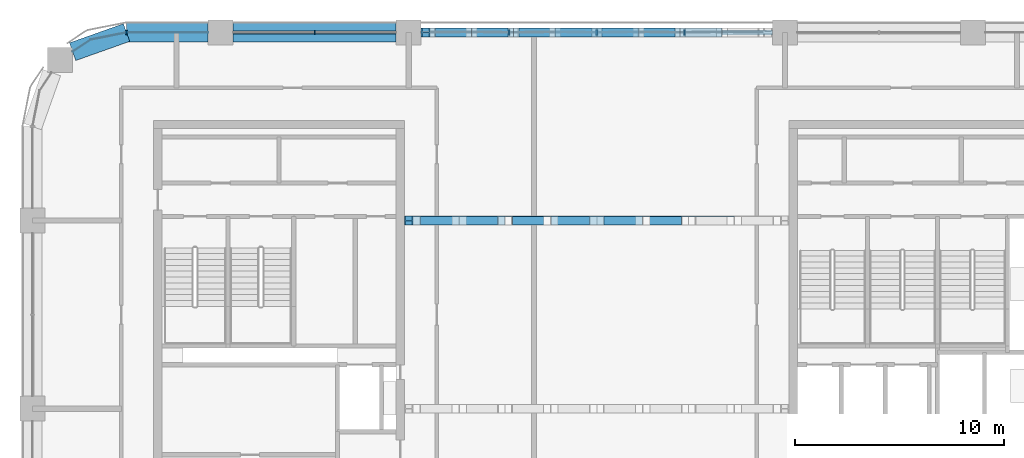
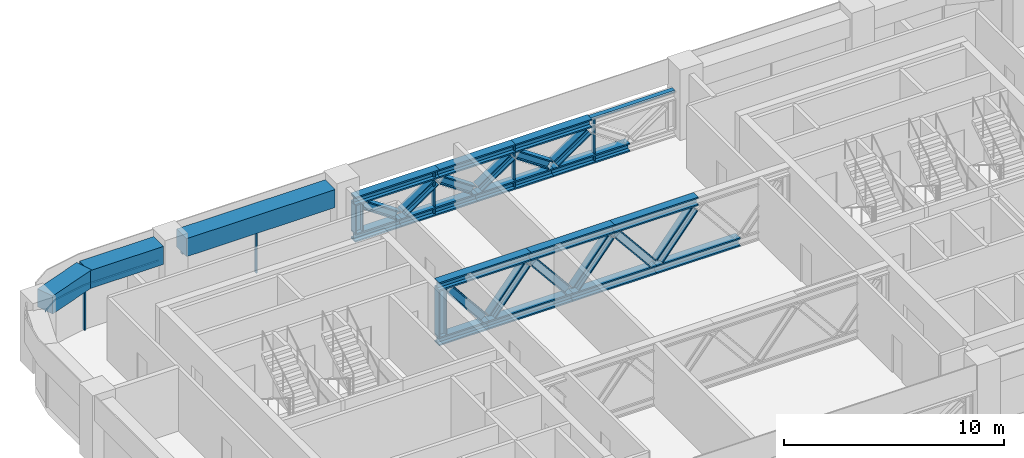
# One storey, part 4 of 14: 36 members, 3 beams, 3 elements without a shape of their own.
"""IFC4 building model written with IfcOpenShell, lengths in metres."""

from ifc_helpers import new_model, si_unit, direction, frame, origin, origin_2d, place, context, subcontext, project, spatial, polyline, rectangle, i_section, outline, extrude, material, material_profile, profile_set, type_object, element, aggregate, save


model = new_model("IFC4")

# Units and contexts
model_context = context("Model", 3, precision=1e-05, world=origin(), true_north=direction((0.0, 1.0)))
body_context = subcontext(model_context, "Body", "Model", "MODEL_VIEW")
ifc_project = project(units=[si_unit("LENGTHUNIT", "METRE"), si_unit("AREAUNIT", "SQUARE_METRE"), si_unit("VOLUMEUNIT", "CUBIC_METRE"), si_unit("PLANEANGLEUNIT", "RADIAN"), si_unit("MASSUNIT", "GRAM", prefix="KILO")], contexts=[model_context])

# Site, building, storey
site_placement = place(None, origin())
site = spatial("IfcSite", under=ifc_project, at=site_placement, CompositionType="ELEMENT")
building_placement = place(site_placement, origin())
building = spatial("IfcBuilding", under=site, at=building_placement, Name="Tessera Arch", CompositionType="ELEMENT")
storey_placement = place(building_placement, frame((0.0, 0.0, 226.699951171875)))
storey = spatial("IfcBuildingStorey", under=building, at=storey_placement, Name="L54", CompositionType="ELEMENT", Elevation=226.699951171875)

# Curtain wall, members
ifc_material_1 = material(Name="CW1 curtain wall")
curtain_wall_type_1 = type_object("IfcCurtainWallType", Name="CW1 curtain wall", PredefinedType="NOTDEFINED", material=ifc_material_1)
curtain_wall_1_placement = place(storey_placement, origin())
curtain_wall_1 = element("IfcCurtainWall", 1, at=curtain_wall_1_placement, inside=storey, type_object=curtain_wall_type_1, Name="CW1 curtain wall N54.0/3 L54", PredefinedType="NOTDEFINED")
ifc_material_2 = material(Name="Anodised aluminium pale metal", Category="aluminium")
ifc_material_profile_1 = material_profile(ifc_material_2, rectangle(XDim=0.159912109375, YDim=0.06005859375, at=origin_2d()), Name="AL 60x160")
ifc_profile_set_1 = profile_set([ifc_material_profile_1], Name="Anodised aluminium pale metal")
member_type_1 = type_object("IfcMemberType", Name="CW1 mullion", PredefinedType="MULLION", material=ifc_profile_set_1)
member_1_placement = place(storey_placement, frame((13.5, 54.0, 0.0), z_axis=(0.0, 0.0, 1.0), x_axis=(0.0, -1.0, 0.0)))
member_1 = element("IfcMember", 2, at=member_1_placement, type_object=member_type_1, Name="CW1 mullion N54.0/3 1", PredefinedType="MULLION", context=body_context, shape_type="SweptSolid", body=[
    extrude(rectangle(XDim=0.159912109375, YDim=0.06005859375, at=origin_2d()), origin(), (0.0, 0.0, 1.0), 2.400146484375),
])
ifc_material_3 = material(Name="Anodised aluminium pale metal", Category="aluminium")
ifc_material_profile_2 = material_profile(ifc_material_3, rectangle(XDim=0.159912109375, YDim=0.10009765625, at=origin_2d()), Name="AL 160x100")
ifc_profile_set_2 = profile_set([ifc_material_profile_2], Name="Anodised aluminium pale metal")
member_type_2 = type_object("IfcMemberType", Name="CW1 transom", PredefinedType="USERDEFINED", material=ifc_profile_set_2)
member_2_placement = place(storey_placement, frame((17.39990234375, 54.0, 2.449951171875), z_axis=(-1.0, 0.0, 0.0), x_axis=(0.0, -1.0, 0.0)))
member_2 = element("IfcMember", 3, at=member_2_placement, type_object=member_type_2, Name="CW1 transom N54.0/3 1.1", ObjectType="TRANSOM", PredefinedType="USERDEFINED", context=body_context, shape_type="SweptSolid", body=[
    extrude(rectangle(XDim=0.159912109375, YDim=0.10009765625, at=origin_2d()), origin(), (0.0, 0.0, 1.0), 7.7998046875),
])
aggregate(curtain_wall_1, [member_1, member_2])

ifc_material_4 = material(Name="CW2 curtain wall")
curtain_wall_type_2 = type_object("IfcCurtainWallType", Name="CW2 curtain wall", PredefinedType="NOTDEFINED", material=ifc_material_4)
curtain_wall_2_placement = place(storey_placement, origin())
curtain_wall_2 = element("IfcCurtainWall", 4, at=curtain_wall_2_placement, inside=storey, type_object=curtain_wall_type_2, Name="CW2 curtain wall N54.0/4 L54", PredefinedType="NOTDEFINED")
ifc_material_5 = material(Name="Anodised aluminium pale metal", Category="aluminium")
ifc_material_profile_3 = material_profile(ifc_material_5, rectangle(XDim=0.199951171875, YDim=0.080078125, at=origin_2d()), Name="AL 80x200")
ifc_profile_set_3 = profile_set([ifc_material_profile_3], Name="Anodised aluminium pale metal")
member_type_3 = type_object("IfcMemberType", Name="CW2 mullion", PredefinedType="MULLION", material=ifc_profile_set_3)
member_3_placement = place(storey_placement, frame((4.5, 54.0, 0.0), z_axis=(0.0, 0.0, 1.0), x_axis=(0.0, -1.0, 0.0)))
member_3 = element("IfcMember", 5, at=member_3_placement, type_object=member_type_3, Name="CW2 mullion N54.0/4 1", PredefinedType="MULLION", context=body_context, shape_type="SweptSolid", body=[
    extrude(rectangle(XDim=0.199951171875, YDim=0.080078125, at=origin_2d()), origin(), (0.0, 0.0, 1.0), 2.400146484375),
])
ifc_material_6 = material(Name="Anodised aluminium pale metal", Category="aluminium")
ifc_material_profile_4 = material_profile(ifc_material_6, rectangle(XDim=0.199951171875, YDim=0.10009765625, at=origin_2d()), Name="AL 200x100")
ifc_profile_set_4 = profile_set([ifc_material_profile_4], Name="Anodised aluminium pale metal")
member_type_4 = type_object("IfcMemberType", Name="CW2 transom", PredefinedType="USERDEFINED", material=ifc_profile_set_4)
member_4_placement = place(storey_placement, frame((0.0, 0.0, 2.400146484375)))
member_4 = element("IfcMember", 6, at=member_4_placement, type_object=member_type_4, Name="CW2 transom N54.0/4 1", ObjectType="TRANSOM", PredefinedType="USERDEFINED", context=body_context, shape_type="SweptSolid", body=[
    extrude(outline(polyline([(4.5009765625, 53.989990234375), (8.39990234375, 53.989990234375), (8.39990234375, 54.010009765625), (4.4990234375, 54.010009765625), (2.77392578125, 53.6669921875), (1.912353515625, 53.09130859375), (1.923583984375, 53.07470703125), (2.78173828125, 53.648193359375), (4.5009765625, 53.989990234375)])), origin(), (0.0, 0.0, 1.0), 0.099853515625),
])
aggregate(curtain_wall_2, [member_3, member_4])

ifc_material_7 = material(Name="CW4 curtain wall")
curtain_wall_type_3 = type_object("IfcCurtainWallType", Name="CW4 curtain wall", PredefinedType="NOTDEFINED", material=ifc_material_7)
curtain_wall_3_placement = place(storey_placement, origin())
curtain_wall_3 = element("IfcCurtainWall", 7, at=curtain_wall_3_placement, inside=storey, type_object=curtain_wall_type_3, Name="CW4 curtain wall N54.0/2 L54", PredefinedType="NOTDEFINED")
ifc_material_8 = material(Name="Anodised aluminium pale metal", Category="aluminium")
ifc_material_profile_5 = material_profile(ifc_material_8, rectangle(XDim=0.25, YDim=0.080078125, at=origin_2d()), Name="AL 80x250")
ifc_profile_set_5 = profile_set([ifc_material_profile_5], Name="Anodised aluminium pale metal")
member_type_5 = type_object("IfcMemberType", Name="CW4 mullion", PredefinedType="MULLION", material=ifc_profile_set_5)
member_5_placement = place(storey_placement, frame((31.199951171875, 54.0, 0.0), z_axis=(0.0, 0.0, 1.0), x_axis=(0.0, -1.0, 0.0)))
member_5 = element("IfcMember", 8, at=member_5_placement, type_object=member_type_5, Name="CW4 mullion N54.0/2 1", PredefinedType="MULLION", context=body_context, shape_type="SweptSolid", body=[
    extrude(rectangle(XDim=0.25, YDim=0.080078125, at=origin_2d()), origin(), (0.0, 0.0, 1.0), 2.380126953125),
])
member_6_placement = place(storey_placement, frame((27.0, 54.0, 0.0), z_axis=(0.0, 0.0, 1.0), x_axis=(0.0, -1.0, 0.0)))
member_6 = element("IfcMember", 9, at=member_6_placement, type_object=member_type_5, Name="CW4 mullion N54.0/2 2", PredefinedType="MULLION", context=body_context, shape_type="SweptSolid", body=[
    extrude(rectangle(XDim=0.25, YDim=0.080078125, at=origin_2d()), origin(), (0.0, 0.0, 1.0), 2.380126953125),
])
member_7_placement = place(storey_placement, frame((22.800048828125, 54.0, 0.0), z_axis=(0.0, 0.0, 1.0), x_axis=(0.0, -1.0, 0.0)))
member_7 = element("IfcMember", 10, at=member_7_placement, type_object=member_type_5, Name="CW4 mullion N54.0/2 3", PredefinedType="MULLION", context=body_context, shape_type="SweptSolid", body=[
    extrude(rectangle(XDim=0.25, YDim=0.080078125, at=origin_2d()), origin(), (0.0, 0.0, 1.0), 2.380126953125),
])
ifc_material_9 = material(Name="Anodised aluminium pale metal", Category="aluminium")
ifc_material_profile_6 = material_profile(ifc_material_9, rectangle(XDim=0.25, YDim=0.1201171875, at=origin_2d()), Name="AL 250x120")
ifc_profile_set_6 = profile_set([ifc_material_profile_6], Name="Anodised aluminium pale metal")
member_type_6 = type_object("IfcMemberType", Name="CW4 transom", PredefinedType="USERDEFINED", material=ifc_profile_set_6)
member_8_placement = place(storey_placement, frame((35.39990234375, 54.0, 2.43994140625), z_axis=(-1.0, 0.0, 0.0), x_axis=(0.0, -1.0, 0.0)))
member_8 = element("IfcMember", 11, at=member_8_placement, type_object=member_type_6, Name="CW4 transom N54.0/2 1.1", ObjectType="TRANSOM", PredefinedType="USERDEFINED", context=body_context, shape_type="SweptSolid", body=[
    extrude(rectangle(XDim=0.25, YDim=0.1201171875, at=origin_2d()), origin(), (0.0, 0.0, 1.0), 16.7998046875),
])
aggregate(curtain_wall_3, [member_5, member_6, member_7, member_8])

# Beams
ifc_material_10 = material(Name="Concrete C60/75", Category="concrete")
ifc_material_profile_7 = material_profile(ifc_material_10, rectangle(XDim=0.89990234375, YDim=1.0, at=origin_2d()), Name="RC spandrel beam 900 x 1000 Concrete C60/75")
ifc_profile_set_7 = profile_set([ifc_material_profile_7], Name="Concrete C60/75")
beam_type = type_object("IfcBeamType", Name="RC spandrel beam 900 x 1000 Concrete C60/75", PredefinedType="BEAM", material=ifc_profile_set_7)
beam_1_placement = place(storey_placement, frame((17.39990234375, 54.0, 3.0), z_axis=(-1.0, 0.0, 0.0), x_axis=(0.0, -1.0, 0.0)))
element("IfcBeam", 12, at=beam_1_placement, inside=storey, type_object=beam_type, Name="Spandrel beam L54 N54.0/3", PredefinedType="BEAM", context=body_context, shape_type="SweptSolid", body=[
    extrude(rectangle(XDim=0.89990234375, YDim=1.0, at=origin_2d()), origin(), (0.0, 0.0, 1.0), 7.7998046875),
])
beam_2_placement = place(storey_placement, frame((8.39990234375, 54.0, 3.0), z_axis=(-1.0, 0.0, 0.0), x_axis=(0.0, -1.0, 0.0)))
element("IfcBeam", 13, at=beam_2_placement, inside=storey, type_object=beam_type, Name="Spandrel beam L54 N54.0/4.1", PredefinedType="BEAM", context=body_context, shape_type="SweptSolid", body=[
    extrude(rectangle(XDim=0.89990234375, YDim=1.0, at=origin_2d()), origin(), (0.0, 0.0, 1.0), 3.89990234375),
])
beam_3_placement = place(storey_placement, frame((4.5, 54.0, 3.0), z_axis=(-0.942337127159, -0.334665114373, 0.0), x_axis=(0.334665114373, -0.942337127159, 0.0)))
element("IfcBeam", 14, at=beam_3_placement, inside=storey, type_object=beam_type, Name="Spandrel beam L54 N54.0/4.2", PredefinedType="BEAM", context=body_context, shape_type="SweptSolid", body=[
    extrude(rectangle(XDim=0.89990234375, YDim=1.0, at=origin_2d()), origin(), (0.0, 0.0, 1.0), 2.739990234375),
])

# Members
ifc_material_11 = material(Name="Steel A992 Gr50", Category="steel")
ifc_material_profile_8 = material_profile(ifc_material_11, i_section(OverallWidth=0.424072265625, OverallDepth=0.47412109375, WebThickness=0.047607421875, FlangeThickness=0.0771484375, at=origin_2d()), Name="W14x426")
ifc_profile_set_8 = profile_set([ifc_material_profile_8], Name="Steel A992 Gr50")
member_type_7 = type_object("IfcMemberType", Name="Truss chord W14x426", PredefinedType="CHORD", material=ifc_profile_set_8)
member_9_placement = place(storey_placement, frame((17.800048828125, 45.0, 3.262939453125), z_axis=(1.0, 0.0, 0.0), x_axis=(0.0, 1.0, 0.0)))
element("IfcMember", 15, at=member_9_placement, inside=storey, type_object=member_type_7, Name="Bridge truss top chord 1", PredefinedType="CHORD", context=body_context, shape_type="SweptSolid", body=[
    extrude(i_section(OverallWidth=0.424072265625, OverallDepth=0.47412109375, WebThickness=0.047607421875, FlangeThickness=0.0771484375, at=origin_2d()), origin(), (0.0, 0.0, 1.0), 4.808349609375),
])
for number, where, z_axis, x_axis, name in (
    (16, (22.6083984375, 45.0, 3.262939453125), (1.0, 0.0, 0.0), (0.0, 1.0, 0.0), "Bridge truss top chord 2"),
    (17, (27.0, 45.0, 3.262939453125), (1.0, 0.0, 0.0), (0.0, 1.0, 0.0), "Bridge truss top chord 3"),
):
    element("IfcMember", number, at=place(storey_placement, frame(where, z_axis=z_axis, x_axis=x_axis)), inside=storey, type_object=member_type_7, Name=name, PredefinedType="CHORD", context=body_context, shape_type="SweptSolid", body=[
        extrude(i_section(OverallWidth=0.424072265625, OverallDepth=0.47412109375, WebThickness=0.047607421875, FlangeThickness=0.0771484375, at=origin_2d()), origin(), (0.0, 0.0, 1.0), 4.3916015625),
    ])
member_10_placement = place(storey_placement, frame((17.800048828125, 45.0, 0.237060546875), z_axis=(1.0, 0.0, 0.0), x_axis=(0.0, 1.0, 0.0)))
element("IfcMember", 18, at=member_10_placement, inside=storey, type_object=member_type_7, Name="Bridge truss bottom chord 1", PredefinedType="CHORD", context=body_context, shape_type="SweptSolid", body=[
    extrude(i_section(OverallWidth=0.424072265625, OverallDepth=0.47412109375, WebThickness=0.047607421875, FlangeThickness=0.0771484375, at=origin_2d()), origin(), (0.0, 0.0, 1.0), 2.6123046875),
])
member_11_placement = place(storey_placement, frame((20.412353515625, 45.0, 0.237060546875), z_axis=(1.0, 0.0, 0.0), x_axis=(0.0, 1.0, 0.0)))
element("IfcMember", 19, at=member_11_placement, inside=storey, type_object=member_type_7, Name="Bridge truss bottom chord 2", PredefinedType="CHORD", context=body_context, shape_type="SweptSolid", body=[
    extrude(i_section(OverallWidth=0.424072265625, OverallDepth=0.47412109375, WebThickness=0.047607421875, FlangeThickness=0.0771484375, at=origin_2d()), origin(), (0.0, 0.0, 1.0), 4.391845703125),
])
member_12_placement = place(storey_placement, frame((24.80419921875, 45.0, 0.237060546875), z_axis=(1.0, 0.0, 0.0), x_axis=(0.0, 1.0, 0.0)))
element("IfcMember", 20, at=member_12_placement, inside=storey, type_object=member_type_7, Name="Bridge truss bottom chord 3", PredefinedType="CHORD", context=body_context, shape_type="SweptSolid", body=[
    extrude(i_section(OverallWidth=0.424072265625, OverallDepth=0.47412109375, WebThickness=0.047607421875, FlangeThickness=0.0771484375, at=origin_2d()), origin(), (0.0, 0.0, 1.0), 4.3916015625),
])
member_13_placement = place(storey_placement, frame((29.19580078125, 45.0, 0.237060546875), z_axis=(1.0, 0.0, 0.0), x_axis=(0.0, 1.0, 0.0)))
element("IfcMember", 21, at=member_13_placement, inside=storey, type_object=member_type_7, Name="Bridge truss bottom chord 4", PredefinedType="CHORD", context=body_context, shape_type="SweptSolid", body=[
    extrude(i_section(OverallWidth=0.424072265625, OverallDepth=0.47412109375, WebThickness=0.047607421875, FlangeThickness=0.0771484375, at=origin_2d()), origin(), (0.0, 0.0, 1.0), 4.391845703125),
])
member_14_placement = place(storey_placement, frame((18.60009765625, 54.0, 2.262939453125), z_axis=(1.0, 0.0, 0.0), x_axis=(0.0, 1.0, 0.0)))
element("IfcMember", 22, at=member_14_placement, inside=storey, type_object=member_type_7, Name="Bridge truss top chord 1", PredefinedType="CHORD", context=body_context, shape_type="SweptSolid", body=[
    extrude(i_section(OverallWidth=0.424072265625, OverallDepth=0.47412109375, WebThickness=0.047607421875, FlangeThickness=0.0771484375, at=origin_2d()), origin(), (0.0, 0.0, 1.0), 4.408203125),
])
for number, where, z_axis, x_axis, name in (
    (23, (23.00830078125, 54.0, 2.262939453125), (1.0, 0.0, 0.0), (0.0, 1.0, 0.0), "Bridge truss top chord 2"),
    (24, (27.0, 54.0, 2.262939453125), (1.0, 0.0, 0.0), (0.0, 1.0, 0.0), "Bridge truss top chord 3"),
):
    element("IfcMember", number, at=place(storey_placement, frame(where, z_axis=z_axis, x_axis=x_axis)), inside=storey, type_object=member_type_7, Name=name, PredefinedType="CHORD", context=body_context, shape_type="SweptSolid", body=[
        extrude(i_section(OverallWidth=0.424072265625, OverallDepth=0.47412109375, WebThickness=0.047607421875, FlangeThickness=0.0771484375, at=origin_2d()), origin(), (0.0, 0.0, 1.0), 3.99169921875),
    ])
member_15_placement = place(storey_placement, frame((18.60009765625, 54.0, 0.237060546875), z_axis=(1.0, 0.0, 0.0), x_axis=(0.0, 1.0, 0.0)))
element("IfcMember", 25, at=member_15_placement, inside=storey, type_object=member_type_7, Name="Bridge truss bottom chord 1", PredefinedType="CHORD", context=body_context, shape_type="SweptSolid", body=[
    extrude(i_section(OverallWidth=0.424072265625, OverallDepth=0.47412109375, WebThickness=0.047607421875, FlangeThickness=0.0771484375, at=origin_2d()), origin(), (0.0, 0.0, 1.0), 2.412353515625),
])
for number, where, z_axis, x_axis, name in (
    (26, (21.012451171875, 54.0, 0.237060546875), (1.0, 0.0, 0.0), (0.0, 1.0, 0.0), "Bridge truss bottom chord 2"),
    (27, (25.004150390625, 54.0, 0.237060546875), (1.0, 0.0, 0.0), (0.0, 1.0, 0.0), "Bridge truss bottom chord 3"),
    (28, (28.995849609375, 54.0, 0.237060546875), (1.0, 0.0, 0.0), (0.0, 1.0, 0.0), "Bridge truss bottom chord 4"),
):
    element("IfcMember", number, at=place(storey_placement, frame(where, z_axis=z_axis, x_axis=x_axis)), inside=storey, type_object=member_type_7, Name=name, PredefinedType="CHORD", context=body_context, shape_type="SweptSolid", body=[
        extrude(i_section(OverallWidth=0.424072265625, OverallDepth=0.47412109375, WebThickness=0.047607421875, FlangeThickness=0.0771484375, at=origin_2d()), origin(), (0.0, 0.0, 1.0), 3.99169921875),
    ])
ifc_material_12 = material(Name="Steel A992 Gr50", Category="steel")
ifc_material_profile_9 = material_profile(ifc_material_12, i_section(OverallWidth=0.411376953125, OverallDepth=0.434326171875, WebThickness=0.035888671875, FlangeThickness=0.057373046875, at=origin_2d()), Name="W14x311")
ifc_profile_set_9 = profile_set([ifc_material_profile_9], Name="Steel A992 Gr50")
member_type_8 = type_object("IfcMemberType", Name="Truss diagonal W14x311", PredefinedType="BRACE", material=ifc_profile_set_9)
for number, where, z_axis, x_axis, name in (
    (29, (18.396240234375, 45.0, 2.87451171875), (0.632527845623, 0.0, -0.774537619817), (0.0, 1.0, 0.0), "Bridge truss diagonal 1"),
    (30, (20.592041015625, 45.0, 0.62548828125), (0.632527845623, 0.0, 0.774537619817), (0.0, 1.0, 0.0), "Bridge truss diagonal 2"),
    (31, (22.787841796875, 45.0, 2.87451171875), (0.632527845623, 0.0, -0.774537619817), (0.0, 1.0, 0.0), "Bridge truss diagonal 3"),
    (32, (24.983642578125, 45.0, 0.62548828125), (0.632527845623, 0.0, 0.774537619817), (0.0, 1.0, 0.0), "Bridge truss diagonal 4"),
    (33, (27.1796875, 45.0, 2.87451171875), (0.632527845623, 0.0, -0.774537619817), (0.0, 1.0, 0.0), "Bridge truss diagonal 5"),
    (34, (29.37548828125, 45.0, 0.62548828125), (0.632527845623, 0.0, 0.774537619817), (0.0, 1.0, 0.0), "Bridge truss diagonal 6"),
):
    element("IfcMember", number, at=place(storey_placement, frame(where, z_axis=z_axis, x_axis=x_axis)), inside=storey, type_object=member_type_8, Name=name, PredefinedType="BRACE", context=body_context, shape_type="SweptSolid", body=[
        extrude(i_section(OverallWidth=0.411376953125, OverallDepth=0.434326171875, WebThickness=0.035888671875, FlangeThickness=0.057373046875, at=origin_2d()), origin(), (0.0, 0.0, 1.0), 2.90380859375),
    ])
for number, where, z_axis, x_axis, name in (
    (35, (19.15380859375, 54.0, 1.836181640625), (0.826564441946, 0.0, -0.562842094473), (0.0, 1.0, 0.0), "Bridge truss diagonal 1"),
    (36, (21.149658203125, 54.0, 0.663818359375), (0.826564441946, 0.0, 0.562842094473), (0.0, 1.0, 0.0), "Bridge truss diagonal 2"),
):
    element("IfcMember", number, at=place(storey_placement, frame(where, z_axis=z_axis, x_axis=x_axis)), inside=storey, type_object=member_type_8, Name=name, PredefinedType="BRACE", context=body_context, shape_type="SweptSolid", body=[
        extrude(i_section(OverallWidth=0.411376953125, OverallDepth=0.434326171875, WebThickness=0.035888671875, FlangeThickness=0.057373046875, at=origin_2d()), origin(), (0.0, 0.0, 1.0), 2.0830078125),
    ])
for number, where, z_axis, x_axis, name in (
    (37, (23.1455078125, 54.0, 1.836181640625), (0.826527305471, 0.0, -0.562896627553), (0.0, 1.0, 0.0), "Bridge truss diagonal 3"),
    (38, (25.141357421875, 54.0, 0.663818359375), (0.826527305471, 0.0, 0.562896627553), (0.0, 1.0, 0.0), "Bridge truss diagonal 4"),
    (39, (27.13720703125, 54.0, 1.836181640625), (0.826527305471, 0.0, -0.562896627553), (0.0, 1.0, 0.0), "Bridge truss diagonal 5"),
    (40, (29.133056640625, 54.0, 0.663818359375), (0.826527305471, 0.0, 0.562896627553), (0.0, 1.0, 0.0), "Bridge truss diagonal 6"),
):
    element("IfcMember", number, at=place(storey_placement, frame(where, z_axis=z_axis, x_axis=x_axis)), inside=storey, type_object=member_type_8, Name=name, PredefinedType="BRACE", context=body_context, shape_type="SweptSolid", body=[
        extrude(i_section(OverallWidth=0.411376953125, OverallDepth=0.434326171875, WebThickness=0.035888671875, FlangeThickness=0.057373046875, at=origin_2d()), origin(), (0.0, 0.0, 1.0), 2.082763671875),
    ])
ifc_material_13 = material(Name="Steel A992 Gr50", Category="steel")
ifc_material_profile_10 = material_profile(ifc_material_13, i_section(OverallWidth=0.406494140625, OverallDepth=0.41650390625, WebThickness=0.030029296875, FlangeThickness=0.048095703125, at=origin_2d()), Name="W14x257")
ifc_profile_set_10 = profile_set([ifc_material_profile_10], Name="Steel A992 Gr50")
member_type_9 = type_object("IfcMemberType", Name="Truss post W14x257", PredefinedType="POST", material=ifc_profile_set_10)
member_16_placement = place(storey_placement, frame((18.00830078125, 45.0, 0.474365234375), z_axis=(0.0, 0.0, 1.0), x_axis=(0.0, 1.0, 0.0)))
element("IfcMember", 41, at=member_16_placement, inside=storey, type_object=member_type_9, Name="Bridge truss end post 1", PredefinedType="POST", context=body_context, shape_type="SweptSolid", body=[
    extrude(i_section(OverallWidth=0.406494140625, OverallDepth=0.41650390625, WebThickness=0.030029296875, FlangeThickness=0.048095703125, at=origin_2d()), origin(), (0.0, 0.0, 1.0), 2.551513671875),
])
member_17_placement = place(storey_placement, frame((18.808349609375, 54.0, 0.474365234375), z_axis=(0.0, 0.0, 1.0), x_axis=(0.0, 1.0, 0.0)))
element("IfcMember", 42, at=member_17_placement, inside=storey, type_object=member_type_9, Name="Bridge truss end post 1", PredefinedType="POST", context=body_context, shape_type="SweptSolid", body=[
    extrude(i_section(OverallWidth=0.406494140625, OverallDepth=0.41650390625, WebThickness=0.030029296875, FlangeThickness=0.048095703125, at=origin_2d()), origin(), (0.0, 0.0, 1.0), 1.551513671875),
])

save(model, "model.ifc")
